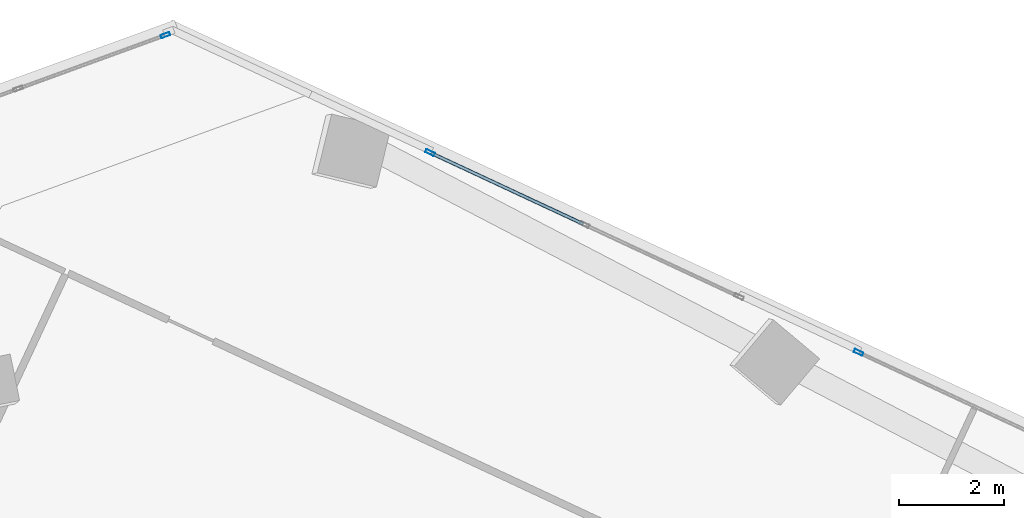
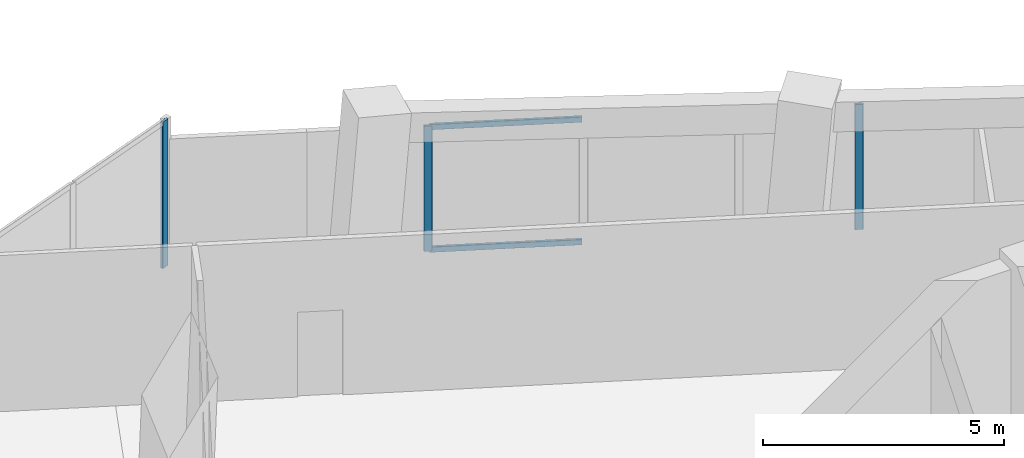
# One storey, part 13 of 21: 5 members, 3 elements without a shape of their own.
"""IFC4 building model written with IfcOpenShell, lengths in metres."""

from ifc_helpers import new_model, si_unit, direction, frame, origin, origin_2d, place, context, subcontext, project, spatial, hollow_rectangle, extrude, source, transform, mapped, material, material_profile, profile_set, type_object, element, aggregate, save


model = new_model("IFC4")

# Units and contexts
model_context = context("Model", 3, precision=1e-05, world=origin(), true_north=direction((0.0, 1.0)))
body_context = subcontext(model_context, "Body", "Model", "MODEL_VIEW")
ifc_project = project(units=[si_unit("LENGTHUNIT", "METRE"), si_unit("AREAUNIT", "SQUARE_METRE"), si_unit("VOLUMEUNIT", "CUBIC_METRE"), si_unit("PLANEANGLEUNIT", "RADIAN"), si_unit("MASSUNIT", "GRAM", prefix="KILO")], contexts=[model_context])

# Site, building, storey
site_placement = place(None, origin())
site = spatial("IfcSite", under=ifc_project, at=site_placement, CompositionType="ELEMENT")
building_placement = place(site_placement, origin())
building = spatial("IfcBuilding", under=site, at=building_placement, Name="Torre Montelarca", CompositionType="ELEMENT")
storey_placement = place(building_placement, frame((0.0, 0.0, 162.39990234375)))
storey = spatial("IfcBuildingStorey", under=building, at=storey_placement, Name="L36", CompositionType="ELEMENT", Elevation=162.39990234375)

# Curtain wall, member
ifc_material_1 = material(Name="Insulated low-E laminated glass", Category="glass")
curtain_wall_type = type_object("IfcCurtainWallType", Name="CW-SYS-Z2", PredefinedType="USERDEFINED", material=ifc_material_1)
curtain_wall_1_placement = place(storey_placement, origin())
curtain_wall_1 = element("IfcCurtainWall", 1, at=curtain_wall_1_placement, inside=storey, type_object=curtain_wall_type, Name="L36 Curtain Wall Run CW-T3-L36-E09-B1", ObjectType="UNITISED GLAZING", PredefinedType="USERDEFINED")
ifc_material_2 = material(Name="Anodised aluminium AA 6063-T6", Category="aluminium")
ifc_material_profile_1 = material_profile(ifc_material_2, hollow_rectangle(XDim=0.06494140625, YDim=0.179931640625, WallThickness=0.00390625, InnerFilletRadius=0.00390625, OuterFilletRadius=0.008056640625, at=origin_2d()), Name="ALU65X180X4", Category="aluminium")
ifc_profile_set_1 = profile_set([ifc_material_profile_1], Name="Anodised aluminium AA 6063-T6")
member_type_1 = type_object("IfcMemberType", Name="CWM-ALU180", PredefinedType="MULLION", material=ifc_profile_set_1)
shared_shape_1 = source(origin(), body_context, "Body", "SweptSolid", [
    extrude(hollow_rectangle(XDim=0.06494140625, YDim=0.179931640625, WallThickness=0.00390625, InnerFilletRadius=0.00390625, OuterFilletRadius=0.008056640625, at=origin_2d()), origin(), (0.0, 0.0, 1.0), 3.72021484375),
])
member_1_placement = place(storey_placement, frame((13.522216796875, 53.338623046875, 0.0), z_axis=(0.0, 0.0, 1.0), x_axis=(0.342021244323, -0.939692220055, 0.0)))
member_1 = element("IfcMember", 2, at=member_1_placement, type_object=member_type_1, Name="CW mullion 1", PredefinedType="MULLION", context=body_context, shape_type="MappedRepresentation", body=[
    mapped(shared_shape_1, transform((0.0, 0.0, 0.0), scale=1.0)),
])
aggregate(curtain_wall_1, [member_1])

curtain_wall_2_placement = place(storey_placement, origin())
curtain_wall_2 = element("IfcCurtainWall", 3, at=curtain_wall_2_placement, inside=storey, type_object=curtain_wall_type, Name="L36 Curtain Wall Run CW-T3-L36-E08-B1", ObjectType="UNITISED GLAZING", PredefinedType="USERDEFINED")
shared_shape_2 = source(origin(), body_context, "Body", "SweptSolid", [
    extrude(hollow_rectangle(XDim=0.06494140625, YDim=0.179931640625, WallThickness=0.00390625, InnerFilletRadius=0.00390625, OuterFilletRadius=0.008056640625, at=origin_2d()), origin(), (0.0, 0.0, 1.0), 3.175048828125),
])
member_2_placement = place(storey_placement, frame((26.70703125, 47.30322265625, 0.0), z_axis=(0.0, 0.0, 1.0), x_axis=(-0.422614347923, -0.90630961207, 0.0)))
member_2 = element("IfcMember", 4, at=member_2_placement, type_object=member_type_1, Name="CW mullion 3", PredefinedType="MULLION", context=body_context, shape_type="MappedRepresentation", body=[
    mapped(shared_shape_2, transform((0.0, 0.0, 0.0), scale=1.0)),
])
aggregate(curtain_wall_2, [member_2])

# Curtain wall, members
curtain_wall_3_placement = place(storey_placement, origin())
curtain_wall_3 = element("IfcCurtainWall", 5, at=curtain_wall_3_placement, inside=storey, type_object=curtain_wall_type, Name="L36 Curtain Wall Run CW-T3-L36-E08-B2", ObjectType="UNITISED GLAZING", PredefinedType="USERDEFINED")
member_3_placement = place(storey_placement, frame((18.557861328125, 51.103271484375, 0.0), z_axis=(0.0, 0.0, 1.0), x_axis=(-0.422626295429, -0.906304040823, 0.0)))
member_3 = element("IfcMember", 6, at=member_3_placement, type_object=member_type_1, Name="CW mullion 3", PredefinedType="MULLION", context=body_context, shape_type="MappedRepresentation", body=[
    mapped(shared_shape_2, transform((0.0, 0.0, 0.0), scale=1.0)),
])
ifc_material_profile_2 = material_profile(ifc_material_2, hollow_rectangle(XDim=0.06494140625, YDim=0.139892578125, WallThickness=0.00390625, InnerFilletRadius=0.00390625, OuterFilletRadius=0.008056640625, at=origin_2d()), Name="ALU65X140X4", Category="aluminium")
ifc_profile_set_2 = profile_set([ifc_material_profile_2], Name="Anodised aluminium AA 6063-T6")
member_type_2 = type_object("IfcMemberType", Name="CWT-ALU140", PredefinedType="USERDEFINED", material=ifc_profile_set_2)
shared_shape_3 = source(origin(), body_context, "Body", "SweptSolid", [
    extrude(hollow_rectangle(XDim=0.06494140625, YDim=0.139892578125, WallThickness=0.00390625, InnerFilletRadius=0.00390625, OuterFilletRadius=0.008056640625, at=origin_2d()), origin(), (0.0, 0.0, 1.0), 3.1767578125),
])
member_4_placement = place(storey_placement, frame((21.466552734375, 49.746826171875, 0.03271484375), z_axis=(-0.906312679599, 0.422607769449, 0.0), x_axis=(-0.422607769449, -0.906312679599, 0.0)))
member_4 = element("IfcMember", 7, at=member_4_placement, type_object=member_type_2, Name="CW transom 2.1", ObjectType="TRANSOM", PredefinedType="USERDEFINED", context=body_context, shape_type="MappedRepresentation", body=[
    mapped(shared_shape_3, transform((0.0, 0.0, 0.0), scale=1.0)),
])
member_5_placement = place(storey_placement, frame((21.466552734375, 49.746826171875, 3.142578125), z_axis=(-0.906312679599, 0.422607769449, 0.0), x_axis=(-0.422607769449, -0.906312679599, 0.0)))
member_5 = element("IfcMember", 8, at=member_5_placement, type_object=member_type_2, Name="CW transom 2.2", ObjectType="TRANSOM", PredefinedType="USERDEFINED", context=body_context, shape_type="MappedRepresentation", body=[
    mapped(shared_shape_3, transform((0.0, 0.0, 0.0), scale=1.0)),
])
aggregate(curtain_wall_3, [member_3, member_4, member_5])

save(model, "model.ifc")
